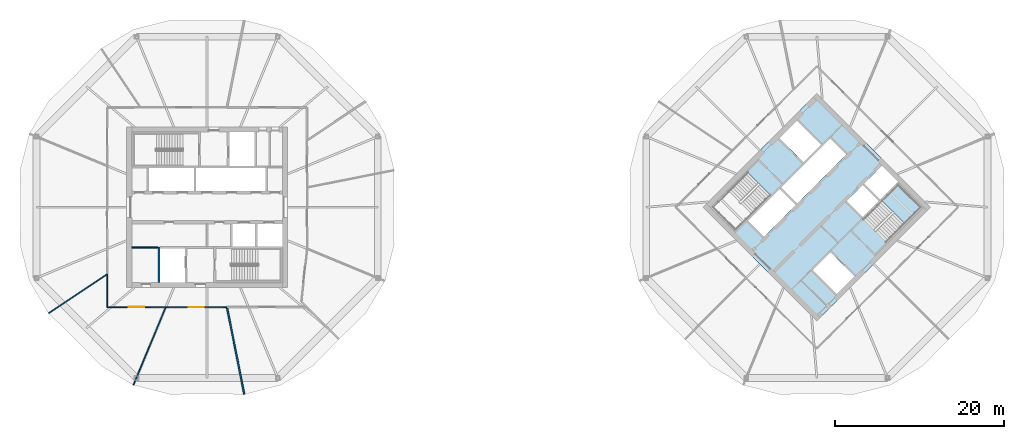
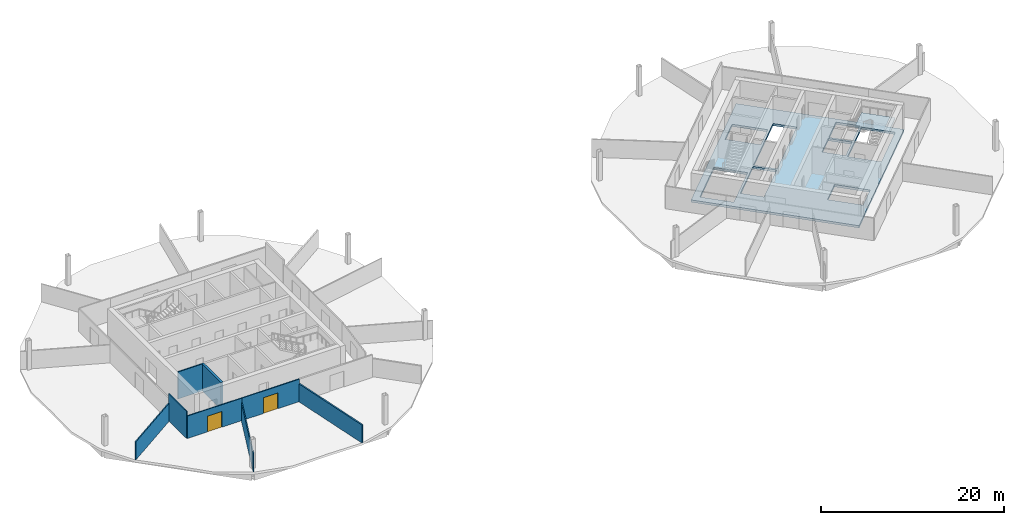
# One storey, part 4 of 10: 8 walls, 2 doors, 2 slabs, 2 openings, 1 element without a shape of its own.
"""IFC4 building model written with IfcOpenShell, lengths in metres."""

from ifc_helpers import new_model, si_unit, direction, frame, frame_2d, origin, place, context, subcontext, project, spatial, polyline, rectangle, outline, extrude, material, layer, layer_set, type_object, element, fill, aggregate, save


model = new_model("IFC4")

# Units and contexts
model_context = context("Model", 3, precision=1e-05, world=origin(), true_north=direction((0.0, 1.0)))
body_context = subcontext(model_context, "Body", "Model", "MODEL_VIEW")
ifc_project = project(units=[si_unit("LENGTHUNIT", "METRE"), si_unit("AREAUNIT", "SQUARE_METRE"), si_unit("VOLUMEUNIT", "CUBIC_METRE"), si_unit("PLANEANGLEUNIT", "RADIAN"), si_unit("MASSUNIT", "GRAM", prefix="KILO")], contexts=[model_context])

# Site, building, storey
site_placement = place(None, origin())
site = spatial("IfcSite", under=ifc_project, at=site_placement, CompositionType="ELEMENT")
building_placement = place(site_placement, origin())
building = spatial("IfcBuilding", under=site, at=building_placement, Name="Ogive Gate Towers", CompositionType="ELEMENT")
storey_placement = place(building_placement, frame((0.0, 0.0, 173.39990234375)))
storey = spatial("IfcBuildingStorey", under=building, at=storey_placement, Name="L41", CompositionType="ELEMENT", Elevation=173.39990234375)

# Slab
ifc_material_1 = material(Name="Concrete C40/50", Category="concrete")
ifc_layer_1 = layer(ifc_material_1, 0.300048828125)
ifc_layer_set_1 = layer_set([ifc_layer_1], Name="Core slab C40/50 300 mm")
slab_type_1 = type_object("IfcSlabType", Name="Core slab C40/50 300 mm", PredefinedType="FLOOR", material=ifc_layer_set_1)
slab_1_placement = place(storey_placement, frame((0.0, 0.0, -0.2998046875)))
element("IfcSlab", 1, at=slab_1_placement, inside=storey, type_object=slab_type_1, Name="T2 L41 core slab", PredefinedType="FLOOR", context=body_context, shape_type="SweptSolid", body=[
    extrude(outline(polyline([(36.0, -13.43505859375), (22.56494140625, 0.0), (36.0, 13.43505859375), (49.43505859375, 0.0), (36.0, -13.43505859375)]), holes=[polyline([(29.759765625, -3.482421875), (33.50732421875, 0.26513671875), (31.615966796875, 2.15673828125), (27.868408203125, -1.591064453125), (29.759765625, -3.482421875)]), polyline([(31.792724609375, 2.33349609375), (33.68408203125, 0.44189453125), (39.482421875, 6.240234375), (37.591064453125, 8.131591796875), (31.792724609375, 2.33349609375)]), polyline([(41.3916015625, 2.634033203125), (39.517822265625, 0.760009765625), (41.409423828125, -1.13134765625), (43.283203125, 0.742431640625), (41.3916015625, 2.634033203125)]), polyline([(45.563720703125, 3.02294921875), (43.672119140625, 4.914306640625), (41.568603515625, 2.810791015625), (43.4599609375, 0.919189453125), (45.563720703125, 3.02294921875)]), polyline([(34.408935546875, 5.30322265625), (36.4951171875, 7.389404296875), (33.64892578125, 10.2353515625), (31.56298828125, 8.1494140625), (34.408935546875, 5.30322265625)]), polyline([(35.5048828125, -7.389404296875), (38.35107421875, -10.2353515625), (40.43701171875, -8.1494140625), (37.591064453125, -5.30322265625), (35.5048828125, -7.389404296875)]), polyline([(26.40087890625, -2.70458984375), (30.512939453125, 1.406982421875), (27.80810546875, 4.11181640625), (23.6962890625, 0.0), (26.40087890625, -2.70458984375)]), polyline([(48.3037109375, 0.0), (45.59912109375, 2.70458984375), (41.487060546875, -1.406982421875), (44.19189453125, -4.11181640625), (48.3037109375, 0.0)])]), origin(), (0.0, 0.0, 1.0), 0.2998046875),
])

# Stair, slab
stair_type = type_object("IfcStairType", Name="Escape stair 1840 wide", PredefinedType="HALF_TURN_STAIR", material=ifc_material_1)
stair_placement = place(storey_placement, origin())
stair = element("IfcStair", 2, at=stair_placement, inside=storey, type_object=stair_type, Name="L41 Escape stair 2", PredefinedType="HALF_TURN_STAIR")
ifc_layer_2 = layer(ifc_material_1, 0.199951171875)
ifc_layer_set_2 = layer_set([ifc_layer_2], Name="Stair landing 200 mm")
slab_type_2 = type_object("IfcSlabType", Name="Stair landing 200 mm", PredefinedType="LANDING", material=ifc_layer_set_2)
slab_2_placement = place(storey_placement, frame((0.0, 0.0, 1.75)))
slab_2 = element("IfcSlab", 3, at=slab_2_placement, type_object=slab_type_2, Name="ST2 landing 1", PredefinedType="LANDING", context=body_context, shape_type="SweptSolid", body=[
    extrude(outline(polyline([(46.3955078125, -1.908203125), (48.3037109375, 0.0), (45.598876953125, 2.70458984375), (43.690673828125, 0.79638671875), (46.3955078125, -1.908203125)])), origin(), (0.0, 0.0, 1.0), 0.2001953125),
])
aggregate(stair, [slab_2])

# Walls
ifc_material_2 = material(Name="Gypsum board acoustic partition")
ifc_layer_3 = layer(ifc_material_2, 0.175048828125)
ifc_layer_set_3 = layer_set([ifc_layer_3], Name="Acoustic partition 175")
wall_type_1 = type_object("IfcWallType", Name="Acoustic partition 175", PredefinedType="PARTITIONING", material=ifc_layer_set_3)
wall_1_placement = place(storey_placement, frame((-31.612548828125, -22.09814453125, 0.0), z_axis=(0.0, 0.0, 1.0), x_axis=(-0.194745070946, 0.980853891944, 0.0)))
element("IfcWall", 4, at=wall_1_placement, inside=storey, type_object=wall_type_1, Name="Partition T1-L41-008", PredefinedType="PARTITIONING", context=body_context, shape_type="SweptSolid", body=[
    extrude(rectangle(XDim=10.411376953125, YDim=0.175048828125, at=frame_2d((5.20556640625, 0.0))), origin(), (0.0, 0.0, 1.0), 2.400146484375),
])
ifc_material_3 = material(Name="Gypsum board partition")
ifc_layer_4 = layer(ifc_material_3, 0.125)
ifc_layer_set_4 = layer_set([ifc_layer_4], Name="Partition 125")
wall_type_2 = type_object("IfcWallType", Name="Partition 125", PredefinedType="PARTITIONING", material=ifc_layer_set_4)
wall_2_placement = place(storey_placement, frame((-54.728271484375, -12.5234375, 0.0), z_axis=(0.0, 0.0, 1.0), x_axis=(0.831274401047, 0.555862276256, 0.0)))
element("IfcWall", 5, at=wall_2_placement, inside=storey, type_object=wall_type_2, Name="Partition T1-L41-006", PredefinedType="PARTITIONING", context=body_context, shape_type="SweptSolid", body=[
    extrude(rectangle(XDim=8.28662109375, YDim=0.125, at=frame_2d((4.143310546875, 0.0))), origin(), (0.0, 0.0, 1.0), 2.400146484375),
])
wall_3_placement = place(storey_placement, frame((-44.698486328125, -20.999755859375, 0.0), z_axis=(0.0, 0.0, 1.0), x_axis=(0.382692753216, 0.923875671633, 0.0)))
element("IfcWall", 6, at=wall_3_placement, inside=storey, type_object=wall_type_2, Name="Partition T1-L41-007", PredefinedType="PARTITIONING", context=body_context, shape_type="SweptSolid", body=[
    extrude(rectangle(XDim=9.886474609375, YDim=0.125, at=frame_2d((4.943359375, 0.0))), origin(), (0.0, 0.0, 1.0), 2.400146484375),
])

# Wall, opening, door
wall_4_placement = place(storey_placement, frame((-47.780029296875, -11.780029296875, 0.0), z_axis=(0.0, 0.0, 1.0), x_axis=(0.99999169502, -0.004075523441, 0.0)))
wall_4 = element("IfcWall", 7, at=wall_4_placement, inside=storey, type_object=wall_type_2, Name="Partition T1-L41-015", PredefinedType="PARTITIONING", context=body_context, shape_type="SweptSolid", body=[
    extrude(rectangle(XDim=6.888916015625, YDim=0.125, at=frame_2d((3.4443359375, 0.0))), origin(), (0.0, 0.0, 1.0), 3.0),
])
opening_1_placement = place(wall_4_placement, frame((2.5439453125, 0.0, 0.0)))
opening_1 = element("IfcOpeningElement", 8, at=opening_1_placement, cuts=wall_4, Name="Opening T1-L41-D04", PredefinedType="OPENING", context=body_context, shape_type="SweptSolid", body=[
    extrude(rectangle(XDim=1.800048828125, YDim=2.10009765625, at=frame_2d((0.89990234375, 1.050048828125))), frame((0.0, 0.072509765625, 0.0), z_axis=(0.0, -1.0, 0.0), x_axis=(1.0, 0.0, 0.0)), (0.0, 0.0, 1.0), 0.14501953125),
])
ifc_material_4 = material(Name="Timber door", Category="wood")
door_type = type_object("IfcDoorType", Name="Door pair 1800", OperationType="NOTDEFINED", PredefinedType="DOOR", material=ifc_material_4)
door_1_placement = place(opening_1_placement, origin())
door_1 = element("IfcDoor", 9, at=door_1_placement, inside=storey, type_object=door_type, Name="Door T1-L41-D04", OperationType="DOUBLE_DOOR_DOUBLE_SWING", OverallHeight=2.10009765625, OverallWidth=1.800048828125, PredefinedType="DOOR", context=body_context, shape_type="SweptSolid", body=[
    extrude(rectangle(XDim=1.800048828125, YDim=2.10009765625, at=frame_2d((0.89990234375, 1.050048828125))), frame((0.0, 0.02490234375, 0.0), z_axis=(0.0, -1.0, 0.0), x_axis=(1.0, 0.0, 0.0)), (0.0, 0.0, 1.0), 0.050048828125),
])
fill(opening_1, door_1)

# Wall
wall_5_placement = place(storey_placement, frame((-47.787841796875, -7.882568359375, 0.0), z_axis=(0.0, 0.0, 1.0), x_axis=(0.002004506121, -0.999997990976, 0.0)))
element("IfcWall", 10, at=wall_5_placement, inside=storey, type_object=wall_type_2, Name="Partition T1-L41-016", PredefinedType="PARTITIONING", context=body_context, shape_type="SweptSolid", body=[
    extrude(rectangle(XDim=3.8974609375, YDim=0.125, at=frame_2d((1.94873046875, 0.0))), origin(), (0.0, 0.0, 1.0), 3.60009765625),
])

# Wall, opening, door
wall_6_placement = place(storey_placement, frame((-40.89111328125, -11.80810546875, 0.0), z_axis=(0.0, 0.0, 1.0), x_axis=(0.999999416854, 0.001079949423, 0.0)))
wall_6 = element("IfcWall", 11, at=wall_6_placement, inside=storey, type_object=wall_type_2, Name="Partition T1-L41-017", PredefinedType="PARTITIONING", context=body_context, shape_type="SweptSolid", body=[
    extrude(rectangle(XDim=7.234130859375, YDim=0.125, at=frame_2d((3.6171875, 0.0))), origin(), (0.0, 0.0, 1.0), 3.0),
])
opening_2_placement = place(wall_6_placement, frame((2.717041015625, 0.0, 0.0)))
opening_2 = element("IfcOpeningElement", 12, at=opening_2_placement, cuts=wall_6, Name="Opening T1-L41-D05", PredefinedType="OPENING", context=body_context, shape_type="SweptSolid", body=[
    extrude(rectangle(XDim=1.800048828125, YDim=2.10009765625, at=frame_2d((0.89990234375, 1.050048828125))), frame((0.0, 0.072509765625, 0.0), z_axis=(0.0, -1.0, 0.0), x_axis=(1.0, 0.0, 0.0)), (0.0, 0.0, 1.0), 0.14501953125),
])
door_2_placement = place(opening_2_placement, origin())
door_2 = element("IfcDoor", 13, at=door_2_placement, inside=storey, type_object=door_type, Name="Door T1-L41-D05", OperationType="DOUBLE_DOOR_DOUBLE_SWING", OverallHeight=2.10009765625, OverallWidth=1.800048828125, PredefinedType="DOOR", context=body_context, shape_type="SweptSolid", body=[
    extrude(rectangle(XDim=1.800048828125, YDim=2.10009765625, at=frame_2d((0.89990234375, 1.050048828125))), frame((0.0, 0.02490234375, 0.0), z_axis=(0.0, -1.0, 0.0), x_axis=(1.0, 0.0, 0.0)), (0.0, 0.0, 1.0), 0.050048828125),
])
fill(opening_2, door_2)

# Walls
ifc_layer_5 = layer(ifc_material_3, 0.14990234375)
ifc_layer_set_5 = layer_set([ifc_layer_5], Name="Room partition 150 mm")
wall_type_3 = type_object("IfcWallType", Name="Room partition 150 mm", PredefinedType="PARTITIONING", material=ifc_layer_set_5)
wall_7_placement = place(storey_placement, frame((-44.89990234375, -4.75, 0.0), z_axis=(0.0, 0.0, 1.0), x_axis=(1.0, 0.0, 0.0)))
element("IfcWall", 14, at=wall_7_placement, inside=storey, type_object=wall_type_3, Name="T1 L41 Room partition 150 mm", PredefinedType="PARTITIONING", context=body_context, shape_type="SweptSolid", body=[
    extrude(rectangle(XDim=3.074951171875, YDim=0.14990234375, at=frame_2d((1.53759765625, 0.0))), origin(), (0.0, 0.0, 1.0), 3.60009765625),
])
ifc_material_5 = material(Name="Concrete C60/75", Category="concrete")
ifc_layer_6 = layer(ifc_material_5, 0.25)
ifc_layer_set_6 = layer_set([ifc_layer_6], Name="Shaft wall 250 mm")
wall_type_4 = type_object("IfcWallType", Name="Shaft wall 250 mm", PredefinedType="SHEAR", material=ifc_layer_set_6)
wall_8_placement = place(storey_placement, frame((-41.699951171875, -8.89990234375, 0.0), z_axis=(0.0, 0.0, 1.0), x_axis=(0.0, 1.0, 0.0)))
element("IfcWall", 15, at=wall_8_placement, inside=storey, type_object=wall_type_4, Name="T1 L41 Shaft wall 250 mm", PredefinedType="SHEAR", context=body_context, shape_type="SweptSolid", body=[
    extrude(rectangle(XDim=4.224853515625, YDim=0.25, at=frame_2d((2.1123046875, 0.0))), origin(), (0.0, 0.0, 1.0), 3.60009765625),
])

save(model, "model.ifc")
